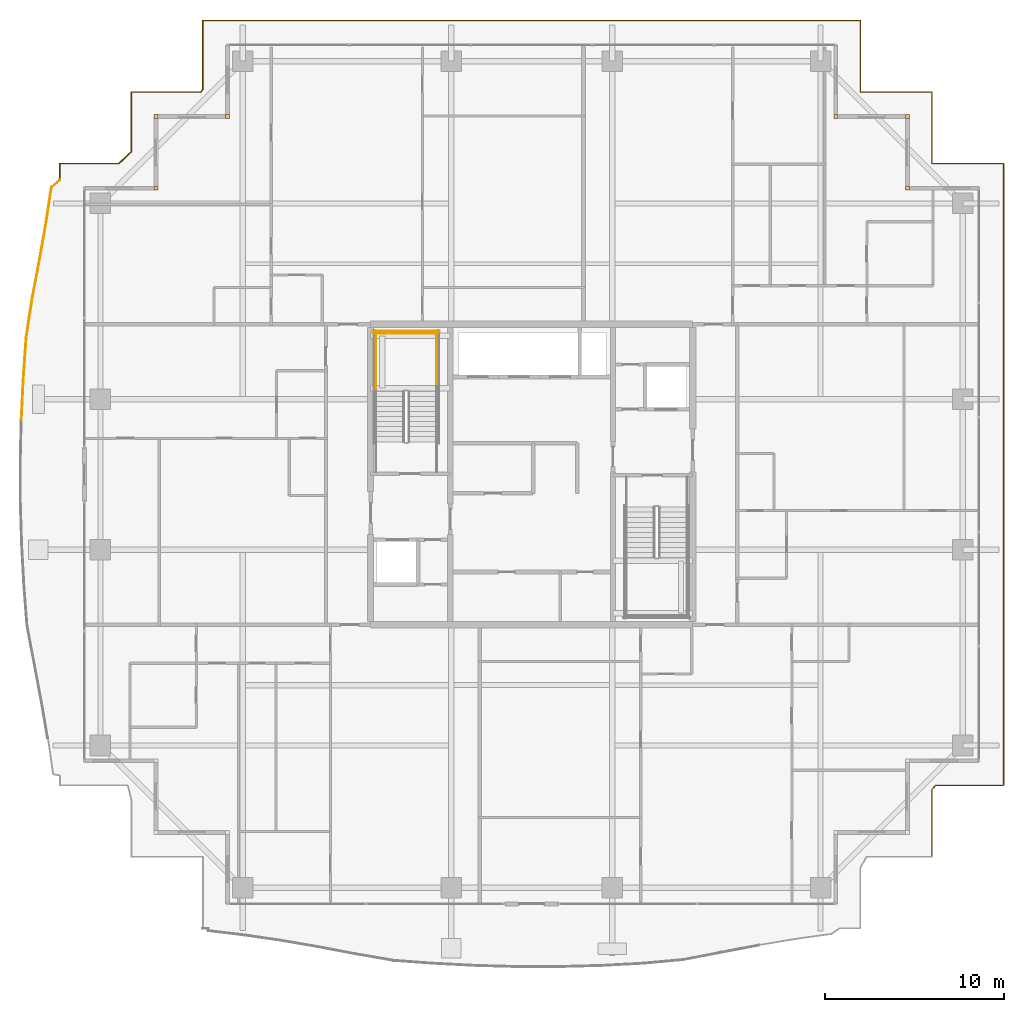
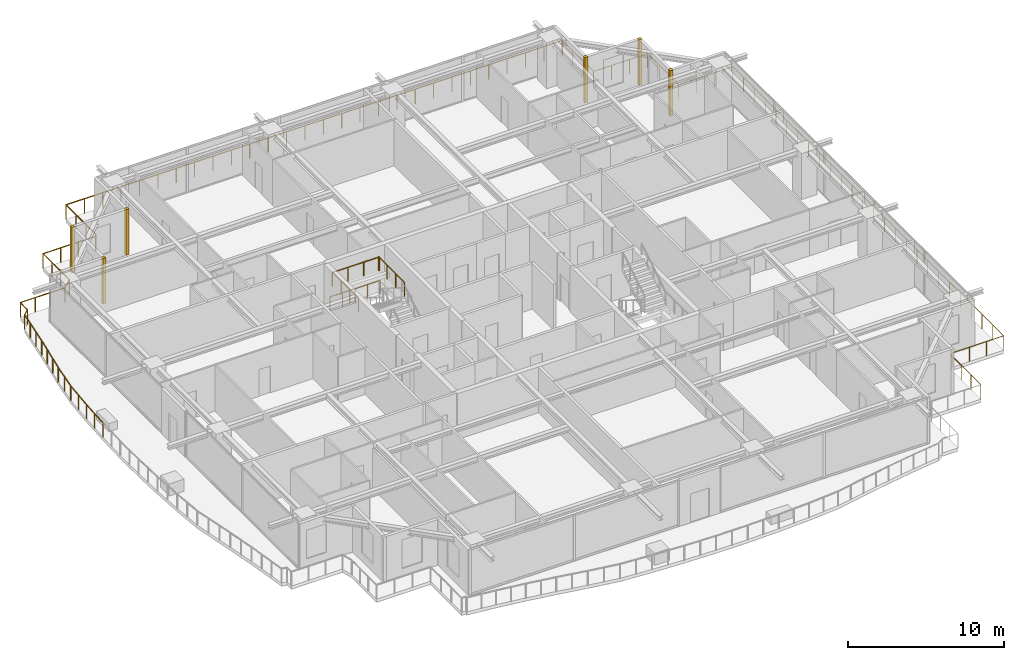
# One storey, part 35 of 35: 7 railings, 6 coverings.
"""IFC4 building model written with IfcOpenShell, lengths in metres."""

from ifc_helpers import new_model, si_unit, direction, frame, origin, origin_2d, place, context, subcontext, project, spatial, rectangle, circle, extrude, source, transform, mapped, material, layer, layer_set, type_object, element, save


model = new_model("IFC4")

# Units and contexts
model_context = context("Model", 3, precision=1e-05, world=origin(), true_north=direction((0.0, 1.0)))
body_context = subcontext(model_context, "Body", "Model", "MODEL_VIEW")
ifc_project = project(units=[si_unit("LENGTHUNIT", "METRE"), si_unit("AREAUNIT", "SQUARE_METRE"), si_unit("VOLUMEUNIT", "CUBIC_METRE"), si_unit("PLANEANGLEUNIT", "RADIAN"), si_unit("MASSUNIT", "GRAM", prefix="KILO")], contexts=[model_context])

# Site, building, storey
site_placement = place(None, origin())
site = spatial("IfcSite", under=ifc_project, at=site_placement, CompositionType="ELEMENT")
building_placement = place(site_placement, origin())
building = spatial("IfcBuilding", under=site, at=building_placement, Name="Serunith Strait Residences", CompositionType="ELEMENT")
storey_placement = place(building_placement, frame((0.0, 0.0, 214.300048828125)))
storey = spatial("IfcBuildingStorey", under=building, at=storey_placement, Name="L53", CompositionType="ELEMENT", Elevation=214.300048828125)

# Railings
ifc_material_1 = material(Name="Stainless Steel & Laminated Glass Balustrade", Category="steel")
railing_type_1 = type_object("IfcRailingType", Name="RLG-BALC-1150", PredefinedType="BALUSTRADE", material=ifc_material_1)
railing_1_placement = place(storey_placement, frame((3.88232421875, 28.289306640625, -0.050048828125)))
element("IfcRailing", 1, at=railing_1_placement, inside=storey, type_object=railing_type_1, Name="L53 Swirling Balcony Perimeter Balustrade 3", PredefinedType="BALUSTRADE", context=body_context, shape_type="SweptSolid", body=[
    extrude(circle(Radius=0.02392578125, at=origin_2d()), frame((0.0, 0.001953125, 1.1259765625), z_axis=(0.048820260477, 0.998807580151, 0.0), x_axis=(-0.998807580151, 0.048820260477, 0.0)), (0.0, 0.0, 1.0), 2.306396484375),
    extrude(circle(Radius=0.02392578125, at=origin_2d()), frame((0.113037109375, 2.3095703125, 1.1259765625), z_axis=(0.069756729847, 0.997564032351, 0.0), x_axis=(-0.997564032351, 0.069756729847, 0.0)), (0.0, 0.0, 1.0), 2.27783203125),
    extrude(circle(Radius=0.02392578125, at=origin_2d()), frame((0.272216796875, 4.5859375, 1.1259765625), z_axis=(0.151974309737, 0.98838444402, 0.0), x_axis=(-0.98838444402, 0.151974309737, 0.0)), (0.0, 0.0, 1.0), 2.209716796875),
    extrude(circle(Radius=0.02392578125, at=origin_2d()), frame((0.60888671875, 6.77392578125, 1.1259765625), z_axis=(0.186839873105, 0.982390381578, 0.0), x_axis=(-0.982390381578, 0.186839873105, 0.0)), (0.0, 0.0, 1.0), 2.138916015625),
    extrude(circle(Radius=0.02392578125, at=origin_2d()), frame((1.009033203125, 8.879150390625, 1.1259765625), z_axis=(0.173159168295, 0.984893853385, 0.0), x_axis=(-0.984893853385, 0.173159168295, 0.0)), (0.0, 0.0, 1.0), 2.0869140625),
    extrude(circle(Radius=0.02392578125, at=origin_2d()), frame((1.37109375, 10.9384765625, 1.1259765625), z_axis=(0.150111437986, 0.988669083256, 0.0), x_axis=(-0.988669083256, 0.150111437986, 0.0)), (0.0, 0.0, 1.0), 2.0517578125),
    extrude(circle(Radius=0.02392578125, at=origin_2d()), frame((1.680908203125, 12.97021484375, 1.1259765625), z_axis=(0.764837226142, 0.644223577267, 0.0), x_axis=(-0.644223577267, 0.764837226142, 0.0)), (0.0, 0.0, 1.0), 0.59521484375),
    extrude(circle(Radius=0.02099609375, at=origin_2d()), origin(), (0.0, 0.0, 1.0), 1.099853515625),
    extrude(circle(Radius=0.02099609375, at=origin_2d()), frame((0.056396484375, 1.15380859375, 0.0)), (0.0, 0.0, 1.0), 1.099853515625),
    extrude(circle(Radius=0.02099609375, at=origin_2d()), frame((0.11279296875, 2.3076171875, 0.0)), (0.0, 0.0, 1.0), 1.099853515625),
    extrude(circle(Radius=0.02099609375, at=origin_2d()), frame((0.1923828125, 3.44580078125, 0.0)), (0.0, 0.0, 1.0), 1.099853515625),
    extrude(circle(Radius=0.02099609375, at=origin_2d()), frame((0.27197265625, 4.583984375, 0.0)), (0.0, 0.0, 1.0), 1.099853515625),
    extrude(circle(Radius=0.02099609375, at=origin_2d()), frame((0.440185546875, 5.677978515625, 0.0)), (0.0, 0.0, 1.0), 1.099853515625),
    extrude(circle(Radius=0.02099609375, at=origin_2d()), frame((0.6083984375, 6.77197265625, 0.0)), (0.0, 0.0, 1.0), 1.099853515625),
    extrude(circle(Radius=0.02099609375, at=origin_2d()), frame((0.80859375, 7.82470703125, 0.0)), (0.0, 0.0, 1.0), 1.099853515625),
    extrude(circle(Radius=0.02099609375, at=origin_2d()), frame((1.0087890625, 8.877197265625, 0.0)), (0.0, 0.0, 1.0), 1.099853515625),
    extrude(circle(Radius=0.02099609375, at=origin_2d()), frame((1.18994140625, 9.90673828125, 0.0)), (0.0, 0.0, 1.0), 1.099853515625),
    extrude(circle(Radius=0.02099609375, at=origin_2d()), frame((1.370849609375, 10.9365234375, 0.0)), (0.0, 0.0, 1.0), 1.099853515625),
    extrude(circle(Radius=0.02099609375, at=origin_2d()), frame((1.525146484375, 11.95263671875, 0.0)), (0.0, 0.0, 1.0), 1.099853515625),
    extrude(circle(Radius=0.02099609375, at=origin_2d()), frame((1.679443359375, 12.968994140625, 0.0)), (0.0, 0.0, 1.0), 1.099853515625),
    extrude(circle(Radius=0.02099609375, at=origin_2d()), frame((2.1376953125, 13.35498046875, 0.0)), (0.0, 0.0, 1.0), 1.099853515625),
])
railing_2_placement = place(storey_placement, frame((6.02001953125, 41.644287109375, -0.050048828125)))
element("IfcRailing", 2, at=railing_2_placement, inside=storey, type_object=railing_type_1, Name="L53 Swirling Balcony Perimeter Balustrade 4", PredefinedType="BALUSTRADE", context=body_context, shape_type="SweptSolid", body=[
    extrude(circle(Radius=0.02392578125, at=origin_2d()), frame((0.0, 0.001953125, 1.1259765625), z_axis=(0.0, 1.0, 0.0), x_axis=(-1.0, 0.0, 0.0)), (0.0, 0.0, 1.0), 0.931884765625),
    extrude(circle(Radius=0.02392578125, at=origin_2d()), frame((0.001953125, 0.935791015625, 1.1259765625), z_axis=(1.0, 0.0, 0.0), x_axis=(0.0, 1.0, 0.0)), (0.0, 0.0, 1.0), 3.295654296875),
    extrude(circle(Radius=0.02392578125, at=origin_2d()), frame((3.301025390625, 0.937255859375, 1.1259765625), z_axis=(0.731402754237, 0.681945753777, 0.0), x_axis=(-0.681945753777, 0.731402754237, 0.0)), (0.0, 0.0, 1.0), 0.95361328125),
    extrude(circle(Radius=0.02392578125, at=origin_2d()), frame((4.0, 1.5908203125, 1.1259765625), z_axis=(0.0, 1.0, 0.0), x_axis=(-1.0, 0.0, 0.0)), (0.0, 0.0, 1.0), 3.343017578125),
    extrude(circle(Radius=0.02392578125, at=origin_2d()), frame((4.001953125, 4.935791015625, 1.1259765625), z_axis=(1.0, 0.0, 0.0), x_axis=(0.0, 1.0, 0.0)), (0.0, 0.0, 1.0), 3.89501953125),
    extrude(circle(Radius=0.02392578125, at=origin_2d()), frame((7.89990234375, 4.9375, 1.1259765625), z_axis=(0.547356223896, 0.836899733638, 0.0), x_axis=(-0.836899733638, 0.547356223896, 0.0)), (0.0, 0.0, 1.0), 0.1806640625),
    extrude(circle(Radius=0.02392578125, at=origin_2d()), frame((8.0, 5.09228515625, 1.1259765625), z_axis=(0.0, 1.0, 0.0), x_axis=(-1.0, 0.0, 0.0)), (0.0, 0.0, 1.0), 3.841552734375),
    extrude(circle(Radius=0.02392578125, at=origin_2d()), frame((8.001953125, 8.935791015625, 1.1259765625), z_axis=(1.0, 0.0, 0.0), x_axis=(0.0, 1.0, 0.0)), (0.0, 0.0, 1.0), 36.756103515625),
    extrude(circle(Radius=0.02099609375, at=origin_2d()), origin(), (0.0, 0.0, 1.0), 1.099853515625),
    extrude(circle(Radius=0.02099609375, at=origin_2d()), frame((0.0, 0.935791015625, 0.0)), (0.0, 0.0, 1.0), 1.099853515625),
    extrude(circle(Radius=0.02099609375, at=origin_2d()), frame((1.099853515625, 0.935791015625, 0.0)), (0.0, 0.0, 1.0), 1.099853515625),
    extrude(circle(Radius=0.02099609375, at=origin_2d()), frame((2.19970703125, 0.935791015625, 0.0)), (0.0, 0.0, 1.0), 1.099853515625),
    extrude(circle(Radius=0.02099609375, at=origin_2d()), frame((3.299560546875, 0.935791015625, 0.0)), (0.0, 0.0, 1.0), 1.099853515625),
    extrude(circle(Radius=0.02099609375, at=origin_2d()), frame((4.0, 1.5888671875, 0.0)), (0.0, 0.0, 1.0), 1.099853515625),
    extrude(circle(Radius=0.02099609375, at=origin_2d()), frame((4.0, 2.70458984375, 0.0)), (0.0, 0.0, 1.0), 1.099853515625),
    extrude(circle(Radius=0.02099609375, at=origin_2d()), frame((4.0, 3.820068359375, 0.0)), (0.0, 0.0, 1.0), 1.099853515625),
    extrude(circle(Radius=0.02099609375, at=origin_2d()), frame((4.0, 4.935791015625, 0.0)), (0.0, 0.0, 1.0), 1.099853515625),
    extrude(circle(Radius=0.02099609375, at=origin_2d()), frame((5.299560546875, 4.935791015625, 0.0)), (0.0, 0.0, 1.0), 1.099853515625),
    extrude(circle(Radius=0.02099609375, at=origin_2d()), frame((6.599365234375, 4.935791015625, 0.0)), (0.0, 0.0, 1.0), 1.099853515625),
    extrude(circle(Radius=0.02099609375, at=origin_2d()), frame((7.89892578125, 4.935791015625, 0.0)), (0.0, 0.0, 1.0), 1.099853515625),
    extrude(circle(Radius=0.02099609375, at=origin_2d()), frame((8.0, 5.09033203125, 0.0)), (0.0, 0.0, 1.0), 1.099853515625),
    extrude(circle(Radius=0.02099609375, at=origin_2d()), frame((8.0, 6.3720703125, 0.0)), (0.0, 0.0, 1.0), 1.099853515625),
    extrude(circle(Radius=0.02099609375, at=origin_2d()), frame((8.0, 7.654052734375, 0.0)), (0.0, 0.0, 1.0), 1.099853515625),
    extrude(circle(Radius=0.02099609375, at=origin_2d()), frame((8.0, 8.935791015625, 0.0)), (0.0, 0.0, 1.0), 1.099853515625),
    extrude(circle(Radius=0.02099609375, at=origin_2d()), frame((9.361572265625, 8.935791015625, 0.0)), (0.0, 0.0, 1.0), 1.099853515625),
    extrude(circle(Radius=0.02099609375, at=origin_2d()), frame((10.722900390625, 8.935791015625, 0.0)), (0.0, 0.0, 1.0), 1.099853515625),
    extrude(circle(Radius=0.02099609375, at=origin_2d()), frame((12.08447265625, 8.935791015625, 0.0)), (0.0, 0.0, 1.0), 1.099853515625),
    extrude(circle(Radius=0.02099609375, at=origin_2d()), frame((13.446044921875, 8.935791015625, 0.0)), (0.0, 0.0, 1.0), 1.099853515625),
    extrude(circle(Radius=0.02099609375, at=origin_2d()), frame((14.807373046875, 8.935791015625, 0.0)), (0.0, 0.0, 1.0), 1.099853515625),
    extrude(circle(Radius=0.02099609375, at=origin_2d()), frame((16.1689453125, 8.935791015625, 0.0)), (0.0, 0.0, 1.0), 1.099853515625),
    extrude(circle(Radius=0.02099609375, at=origin_2d()), frame((17.5302734375, 8.935791015625, 0.0)), (0.0, 0.0, 1.0), 1.099853515625),
    extrude(circle(Radius=0.02099609375, at=origin_2d()), frame((18.891845703125, 8.935791015625, 0.0)), (0.0, 0.0, 1.0), 1.099853515625),
    extrude(circle(Radius=0.02099609375, at=origin_2d()), frame((20.25341796875, 8.935791015625, 0.0)), (0.0, 0.0, 1.0), 1.099853515625),
    extrude(circle(Radius=0.02099609375, at=origin_2d()), frame((21.61474609375, 8.935791015625, 0.0)), (0.0, 0.0, 1.0), 1.099853515625),
    extrude(circle(Radius=0.02099609375, at=origin_2d()), frame((22.976318359375, 8.935791015625, 0.0)), (0.0, 0.0, 1.0), 1.099853515625),
    extrude(circle(Radius=0.02099609375, at=origin_2d()), frame((24.337890625, 8.935791015625, 0.0)), (0.0, 0.0, 1.0), 1.099853515625),
    extrude(circle(Radius=0.02099609375, at=origin_2d()), frame((25.69921875, 8.935791015625, 0.0)), (0.0, 0.0, 1.0), 1.099853515625),
    extrude(circle(Radius=0.02099609375, at=origin_2d()), frame((27.060791015625, 8.935791015625, 0.0)), (0.0, 0.0, 1.0), 1.099853515625),
    extrude(circle(Radius=0.02099609375, at=origin_2d()), frame((28.422119140625, 8.935791015625, 0.0)), (0.0, 0.0, 1.0), 1.099853515625),
    extrude(circle(Radius=0.02099609375, at=origin_2d()), frame((29.78369140625, 8.935791015625, 0.0)), (0.0, 0.0, 1.0), 1.099853515625),
    extrude(circle(Radius=0.02099609375, at=origin_2d()), frame((31.145263671875, 8.935791015625, 0.0)), (0.0, 0.0, 1.0), 1.099853515625),
    extrude(circle(Radius=0.02099609375, at=origin_2d()), frame((32.506591796875, 8.935791015625, 0.0)), (0.0, 0.0, 1.0), 1.099853515625),
    extrude(circle(Radius=0.02099609375, at=origin_2d()), frame((33.8681640625, 8.935791015625, 0.0)), (0.0, 0.0, 1.0), 1.099853515625),
    extrude(circle(Radius=0.02099609375, at=origin_2d()), frame((35.229736328125, 8.935791015625, 0.0)), (0.0, 0.0, 1.0), 1.099853515625),
    extrude(circle(Radius=0.02099609375, at=origin_2d()), frame((36.591064453125, 8.935791015625, 0.0)), (0.0, 0.0, 1.0), 1.099853515625),
    extrude(circle(Radius=0.02099609375, at=origin_2d()), frame((37.95263671875, 8.935791015625, 0.0)), (0.0, 0.0, 1.0), 1.099853515625),
    extrude(circle(Radius=0.02099609375, at=origin_2d()), frame((39.31396484375, 8.935791015625, 0.0)), (0.0, 0.0, 1.0), 1.099853515625),
    extrude(circle(Radius=0.02099609375, at=origin_2d()), frame((40.675537109375, 8.935791015625, 0.0)), (0.0, 0.0, 1.0), 1.099853515625),
    extrude(circle(Radius=0.02099609375, at=origin_2d()), frame((42.037109375, 8.935791015625, 0.0)), (0.0, 0.0, 1.0), 1.099853515625),
    extrude(circle(Radius=0.02099609375, at=origin_2d()), frame((43.3984375, 8.935791015625, 0.0)), (0.0, 0.0, 1.0), 1.099853515625),
    extrude(circle(Radius=0.02099609375, at=origin_2d()), frame((44.760009765625, 8.935791015625, 0.0)), (0.0, 0.0, 1.0), 1.099853515625),
])
railing_3_placement = place(storey_placement, frame((50.780029296875, 50.580078125, -0.050048828125)))
element("IfcRailing", 3, at=railing_3_placement, inside=storey, type_object=railing_type_1, Name="L53 Swirling Balcony Perimeter Balustrade 5", PredefinedType="BALUSTRADE", context=body_context, shape_type="SweptSolid", body=[
    extrude(circle(Radius=0.02392578125, at=origin_2d()), frame((0.0, -0.001953125, 1.1259765625), z_axis=(0.0, -1.0, 0.0), x_axis=(1.0, 0.0, 0.0)), (0.0, 0.0, 1.0), 3.99609375),
    extrude(circle(Radius=0.02392578125, at=origin_2d()), frame((0.001953125, -4.0, 1.1259765625), z_axis=(1.0, 0.0, 0.0), x_axis=(0.0, 1.0, 0.0)), (0.0, 0.0, 1.0), 3.99609375),
    extrude(circle(Radius=0.02392578125, at=origin_2d()), frame((4.0, -4.001953125, 1.1259765625), z_axis=(0.0, -1.0, 0.0), x_axis=(1.0, 0.0, 0.0)), (0.0, 0.0, 1.0), 3.99609375),
    extrude(circle(Radius=0.02392578125, at=origin_2d()), frame((4.001953125, -8.0, 1.1259765625), z_axis=(1.0, 0.0, 0.0), x_axis=(0.0, 1.0, 0.0)), (0.0, 0.0, 1.0), 3.99609375),
    extrude(circle(Radius=0.02392578125, at=origin_2d()), frame((8.0, -8.001953125, 1.1259765625), z_axis=(0.0, -1.0, 0.0), x_axis=(1.0, 0.0, 0.0)), (0.0, 0.0, 1.0), 34.756103515625),
    extrude(circle(Radius=0.02392578125, at=origin_2d()), frame((7.998046875, -42.760009765625, 1.1259765625), z_axis=(-1.0, 0.0, 0.0), x_axis=(0.0, -1.0, 0.0)), (0.0, 0.0, 1.0), 3.801025390625),
    extrude(circle(Radius=0.02392578125, at=origin_2d()), frame((4.19384765625, -42.761474609375, 1.1259765625), z_axis=(-0.659789800433, -0.751450210756, 0.0), x_axis=(0.751450210756, -0.659789800433, 0.0)), (0.0, 0.0, 1.0), 0.291748046875),
    extrude(circle(Radius=0.02392578125, at=origin_2d()), frame((4.0, -42.984130859375, 1.1259765625), z_axis=(0.0, -1.0, 0.0), x_axis=(1.0, 0.0, 0.0)), (0.0, 0.0, 1.0), 3.77392578125),
    extrude(circle(Radius=0.02099609375, at=origin_2d()), origin(), (0.0, 0.0, 1.0), 1.099853515625),
    extrude(circle(Radius=0.02099609375, at=origin_2d()), frame((0.0, -1.333251953125, 0.0)), (0.0, 0.0, 1.0), 1.099853515625),
    extrude(circle(Radius=0.02099609375, at=origin_2d()), frame((0.0, -2.666748046875, 0.0)), (0.0, 0.0, 1.0), 1.099853515625),
    extrude(circle(Radius=0.02099609375, at=origin_2d()), frame((0.0, -4.0, 0.0)), (0.0, 0.0, 1.0), 1.099853515625),
    extrude(circle(Radius=0.02099609375, at=origin_2d()), frame((1.333251953125, -4.0, 0.0)), (0.0, 0.0, 1.0), 1.099853515625),
    extrude(circle(Radius=0.02099609375, at=origin_2d()), frame((2.666748046875, -4.0, 0.0)), (0.0, 0.0, 1.0), 1.099853515625),
    extrude(circle(Radius=0.02099609375, at=origin_2d()), frame((4.0, -4.0, 0.0)), (0.0, 0.0, 1.0), 1.099853515625),
    extrude(circle(Radius=0.02099609375, at=origin_2d()), frame((4.0, -5.333251953125, 0.0)), (0.0, 0.0, 1.0), 1.099853515625),
    extrude(circle(Radius=0.02099609375, at=origin_2d()), frame((4.0, -6.666748046875, 0.0)), (0.0, 0.0, 1.0), 1.099853515625),
    extrude(circle(Radius=0.02099609375, at=origin_2d()), frame((4.0, -8.0, 0.0)), (0.0, 0.0, 1.0), 1.099853515625),
    extrude(circle(Radius=0.02099609375, at=origin_2d()), frame((5.333251953125, -8.0, 0.0)), (0.0, 0.0, 1.0), 1.099853515625),
    extrude(circle(Radius=0.02099609375, at=origin_2d()), frame((6.666748046875, -8.0, 0.0)), (0.0, 0.0, 1.0), 1.099853515625),
    extrude(circle(Radius=0.02099609375, at=origin_2d()), frame((8.0, -8.0, 0.0)), (0.0, 0.0, 1.0), 1.099853515625),
    extrude(circle(Radius=0.02099609375, at=origin_2d()), frame((8.0, -9.390380859375, 0.0)), (0.0, 0.0, 1.0), 1.099853515625),
    extrude(circle(Radius=0.02099609375, at=origin_2d()), frame((8.0, -10.78076171875, 0.0)), (0.0, 0.0, 1.0), 1.099853515625),
    extrude(circle(Radius=0.02099609375, at=origin_2d()), frame((8.0, -12.171142578125, 0.0)), (0.0, 0.0, 1.0), 1.099853515625),
    extrude(circle(Radius=0.02099609375, at=origin_2d()), frame((8.0, -13.5615234375, 0.0)), (0.0, 0.0, 1.0), 1.099853515625),
    extrude(circle(Radius=0.02099609375, at=origin_2d()), frame((8.0, -14.951904296875, 0.0)), (0.0, 0.0, 1.0), 1.099853515625),
    extrude(circle(Radius=0.02099609375, at=origin_2d()), frame((8.0, -16.34228515625, 0.0)), (0.0, 0.0, 1.0), 1.099853515625),
    extrude(circle(Radius=0.02099609375, at=origin_2d()), frame((8.0, -17.73291015625, 0.0)), (0.0, 0.0, 1.0), 1.099853515625),
    extrude(circle(Radius=0.02099609375, at=origin_2d()), frame((8.0, -19.123291015625, 0.0)), (0.0, 0.0, 1.0), 1.099853515625),
    extrude(circle(Radius=0.02099609375, at=origin_2d()), frame((8.0, -20.513671875, 0.0)), (0.0, 0.0, 1.0), 1.099853515625),
    extrude(circle(Radius=0.02099609375, at=origin_2d()), frame((8.0, -21.904052734375, 0.0)), (0.0, 0.0, 1.0), 1.099853515625),
    extrude(circle(Radius=0.02099609375, at=origin_2d()), frame((8.0, -23.29443359375, 0.0)), (0.0, 0.0, 1.0), 1.099853515625),
    extrude(circle(Radius=0.02099609375, at=origin_2d()), frame((8.0, -24.684814453125, 0.0)), (0.0, 0.0, 1.0), 1.099853515625),
    extrude(circle(Radius=0.02099609375, at=origin_2d()), frame((8.0, -26.0751953125, 0.0)), (0.0, 0.0, 1.0), 1.099853515625),
    extrude(circle(Radius=0.02099609375, at=origin_2d()), frame((8.0, -27.465576171875, 0.0)), (0.0, 0.0, 1.0), 1.099853515625),
    extrude(circle(Radius=0.02099609375, at=origin_2d()), frame((8.0, -28.85595703125, 0.0)), (0.0, 0.0, 1.0), 1.099853515625),
    extrude(circle(Radius=0.02099609375, at=origin_2d()), frame((8.0, -30.246337890625, 0.0)), (0.0, 0.0, 1.0), 1.099853515625),
    extrude(circle(Radius=0.02099609375, at=origin_2d()), frame((8.0, -31.63671875, 0.0)), (0.0, 0.0, 1.0), 1.099853515625),
    extrude(circle(Radius=0.02099609375, at=origin_2d()), frame((8.0, -33.027099609375, 0.0)), (0.0, 0.0, 1.0), 1.099853515625),
    extrude(circle(Radius=0.02099609375, at=origin_2d()), frame((8.0, -34.417724609375, 0.0)), (0.0, 0.0, 1.0), 1.099853515625),
    extrude(circle(Radius=0.02099609375, at=origin_2d()), frame((8.0, -35.80810546875, 0.0)), (0.0, 0.0, 1.0), 1.099853515625),
    extrude(circle(Radius=0.02099609375, at=origin_2d()), frame((8.0, -37.198486328125, 0.0)), (0.0, 0.0, 1.0), 1.099853515625),
    extrude(circle(Radius=0.02099609375, at=origin_2d()), frame((8.0, -38.5888671875, 0.0)), (0.0, 0.0, 1.0), 1.099853515625),
    extrude(circle(Radius=0.02099609375, at=origin_2d()), frame((8.0, -39.979248046875, 0.0)), (0.0, 0.0, 1.0), 1.099853515625),
    extrude(circle(Radius=0.02099609375, at=origin_2d()), frame((8.0, -41.36962890625, 0.0)), (0.0, 0.0, 1.0), 1.099853515625),
    extrude(circle(Radius=0.02099609375, at=origin_2d()), frame((8.0, -42.760009765625, 0.0)), (0.0, 0.0, 1.0), 1.099853515625),
    extrude(circle(Radius=0.02099609375, at=origin_2d()), frame((6.731689453125, -42.760009765625, 0.0)), (0.0, 0.0, 1.0), 1.099853515625),
    extrude(circle(Radius=0.02099609375, at=origin_2d()), frame((5.46337890625, -42.760009765625, 0.0)), (0.0, 0.0, 1.0), 1.099853515625),
    extrude(circle(Radius=0.02099609375, at=origin_2d()), frame((4.195068359375, -42.760009765625, 0.0)), (0.0, 0.0, 1.0), 1.099853515625),
    extrude(circle(Radius=0.02099609375, at=origin_2d()), frame((4.0, -42.982177734375, 0.0)), (0.0, 0.0, 1.0), 1.099853515625),
    extrude(circle(Radius=0.02099609375, at=origin_2d()), frame((4.0, -44.241455078125, 0.0)), (0.0, 0.0, 1.0), 1.099853515625),
    extrude(circle(Radius=0.02099609375, at=origin_2d()), frame((4.0, -45.500732421875, 0.0)), (0.0, 0.0, 1.0), 1.099853515625),
    extrude(circle(Radius=0.02099609375, at=origin_2d()), frame((4.0, -46.760009765625, 0.0)), (0.0, 0.0, 1.0), 1.099853515625),
])
ifc_material_2 = material(Name="Brushed stainless steel 316L", Category="steel")
railing_type_2 = type_object("IfcRailingType", Name="RLG-STAIR-GUARD", PredefinedType="BALUSTRADE", material=ifc_material_2)
for number, where, name in (
    (4, (27.10009765625, 29.830078125, 1.925048828125), "L53 ST-1 stair guard 3"),
    (5, (23.699951171875, 29.830078125, 1.925048828125), "L53 ST-1 stair guard 4"),
):
    element("IfcRailing", number, at=place(storey_placement, frame(where)), inside=storey, type_object=railing_type_2, Name=name, PredefinedType="BALUSTRADE", context=body_context, shape_type="SweptSolid", body=[
        extrude(circle(Radius=0.02392578125, at=origin_2d()), frame((0.0, 0.001953125, 1.076171875), z_axis=(0.0, 1.0, 0.0), x_axis=(-1.0, 0.0, 0.0)), (0.0, 0.0, 1.0), 3.31591796875),
        extrude(circle(Radius=0.02099609375, at=origin_2d()), origin(), (0.0, 0.0, 1.0), 1.050048828125),
        extrude(circle(Radius=0.02099609375, at=origin_2d()), frame((0.0, 1.106689453125, 0.0)), (0.0, 0.0, 1.0), 1.050048828125),
        extrude(circle(Radius=0.02099609375, at=origin_2d()), frame((0.0, 2.213134765625, 0.0)), (0.0, 0.0, 1.0), 1.050048828125),
        extrude(circle(Radius=0.02099609375, at=origin_2d()), frame((0.0, 3.31982421875, 0.0)), (0.0, 0.0, 1.0), 1.050048828125),
    ])
railing_4_placement = place(storey_placement, frame((27.14990234375, 33.10009765625, 1.925048828125)))
element("IfcRailing", 6, at=railing_4_placement, inside=storey, type_object=railing_type_2, Name="L53 ST-1 stair guard 5", PredefinedType="BALUSTRADE", context=body_context, shape_type="SweptSolid", body=[
    extrude(circle(Radius=0.02392578125, at=origin_2d()), frame((-0.001953125, 0.0, 1.076171875), z_axis=(-1.0, 0.0, 0.0), x_axis=(0.0, -1.0, 0.0)), (0.0, 0.0, 1.0), 3.49609375),
    extrude(circle(Radius=0.02099609375, at=origin_2d()), origin(), (0.0, 0.0, 1.0), 1.050048828125),
    extrude(circle(Radius=0.02099609375, at=origin_2d()), frame((-1.166748046875, 0.0, 0.0)), (0.0, 0.0, 1.0), 1.050048828125),
    extrude(circle(Radius=0.02099609375, at=origin_2d()), frame((-2.333251953125, 0.0, 0.0)), (0.0, 0.0, 1.0), 1.050048828125),
    extrude(circle(Radius=0.02099609375, at=origin_2d()), frame((-3.5, 0.0, 0.0)), (0.0, 0.0, 1.0), 1.050048828125),
])
railing_5_placement = place(storey_placement, frame((27.25, 33.199951171875, 0.0)))
element("IfcRailing", 7, at=railing_5_placement, inside=storey, type_object=railing_type_2, Name="L53 ST-1 stair guard 12", PredefinedType="BALUSTRADE", context=body_context, shape_type="SweptSolid", body=[
    extrude(circle(Radius=0.02392578125, at=origin_2d()), frame((-0.001953125, 0.0, 1.076171875), z_axis=(-1.0, 0.0, 0.0), x_axis=(0.0, -1.0, 0.0)), (0.0, 0.0, 1.0), 3.696044921875),
    extrude(circle(Radius=0.02099609375, at=origin_2d()), origin(), (0.0, 0.0, 1.0), 1.050048828125),
    extrude(circle(Radius=0.02099609375, at=origin_2d()), frame((-0.925048828125, 0.0, 0.0)), (0.0, 0.0, 1.0), 1.050048828125),
    extrude(circle(Radius=0.02099609375, at=origin_2d()), frame((-1.85009765625, 0.0, 0.0)), (0.0, 0.0, 1.0), 1.050048828125),
    extrude(circle(Radius=0.02099609375, at=origin_2d()), frame((-2.77490234375, 0.0, 0.0)), (0.0, 0.0, 1.0), 1.050048828125),
    extrude(circle(Radius=0.02099609375, at=origin_2d()), frame((-3.699951171875, 0.0, 0.0)), (0.0, 0.0, 1.0), 1.050048828125),
])

# Coverings
ifc_material_3 = material(Name="Pale-Champagne Anodised Aluminium", Category="aluminium")
ifc_layer = layer(ifc_material_3, 0.219970703125, Name="Pale-Champagne Anodised Aluminium")
ifc_layer_set = layer_set([ifc_layer], Name="Pale-Champagne Anodised Aluminium")
covering_type = type_object("IfcCoveringType", Name="COV-CORN-TRIM", PredefinedType="CLADDING", material=ifc_layer_set)
shared_shape = source(origin(), body_context, "Body", "SweptSolid", [
    extrude(rectangle(XDim=0.221923828125, YDim=0.221923828125, at=origin_2d()), origin(), (0.0, 0.0, 1.0), 3.574951171875),
])
for number, where, z_axis, x_axis, name in (
    (8, (53.39990234375, 41.199951171875, 0.0), (0.0, 0.0, 1.0), (1.0, 0.0, 0.0), "L53 Girih Serrated Corner Trim Post 07"),
    (9, (53.39990234375, 45.199951171875, 0.0), (0.0, 0.0, 1.0), (1.0, 0.0, 0.0), "L53 Girih Serrated Corner Trim Post 08"),
    (10, (49.39990234375, 45.199951171875, 0.0), (0.0, 0.0, 1.0), (1.0, 0.0, 0.0), "L53 Girih Serrated Corner Trim Post 09"),
    (11, (15.39990234375, 45.199951171875, 0.0), (0.0, 0.0, 1.0), (1.0, 0.0, 0.0), "L53 Girih Serrated Corner Trim Post 12"),
    (12, (11.39990234375, 45.199951171875, 0.0), (0.0, 0.0, 1.0), (1.0, 0.0, 0.0), "L53 Girih Serrated Corner Trim Post 13"),
    (13, (11.39990234375, 41.199951171875, 0.0), (0.0, 0.0, 1.0), (1.0, 0.0, 0.0), "L53 Girih Serrated Corner Trim Post 14"),
):
    element("IfcCovering", number, at=place(storey_placement, frame(where, z_axis=z_axis, x_axis=x_axis)), inside=storey, type_object=covering_type, Name=name, PredefinedType="CLADDING", context=body_context, shape_type="MappedRepresentation", body=[
        mapped(shared_shape, transform((0.0, 0.0, 0.0), scale=1.0)),
    ])

save(model, "model.ifc")
